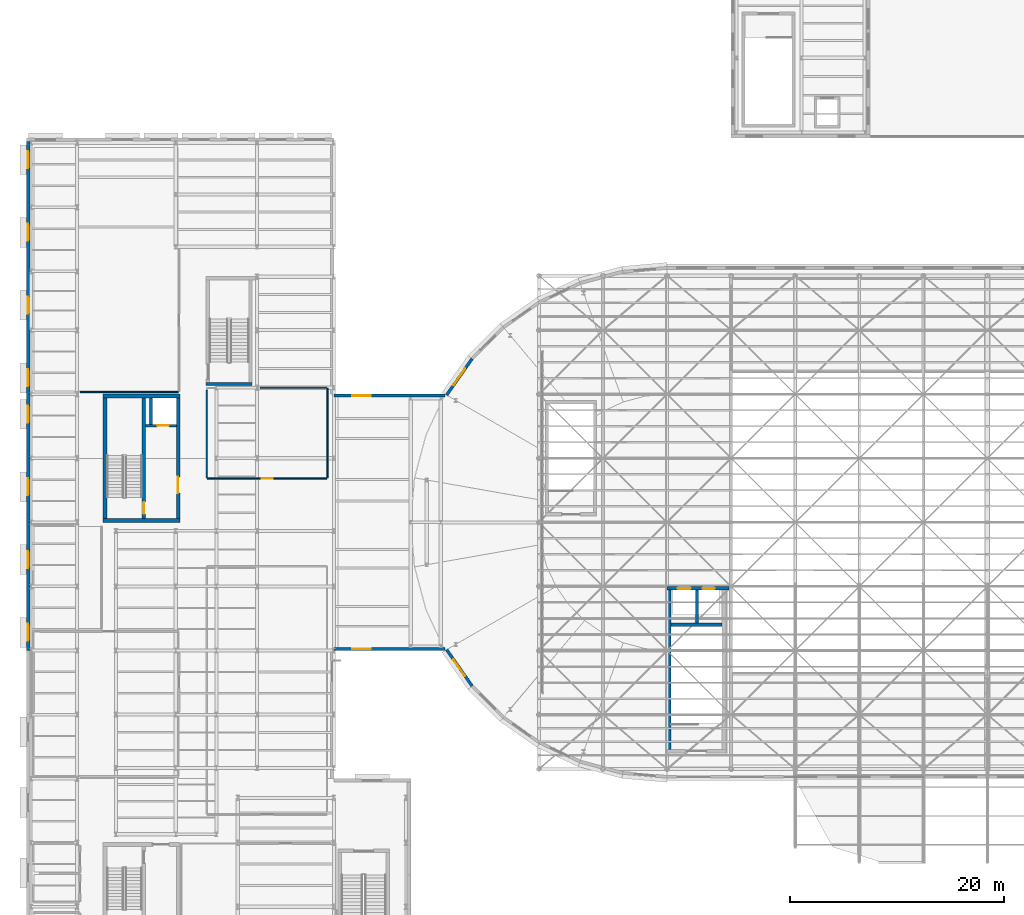
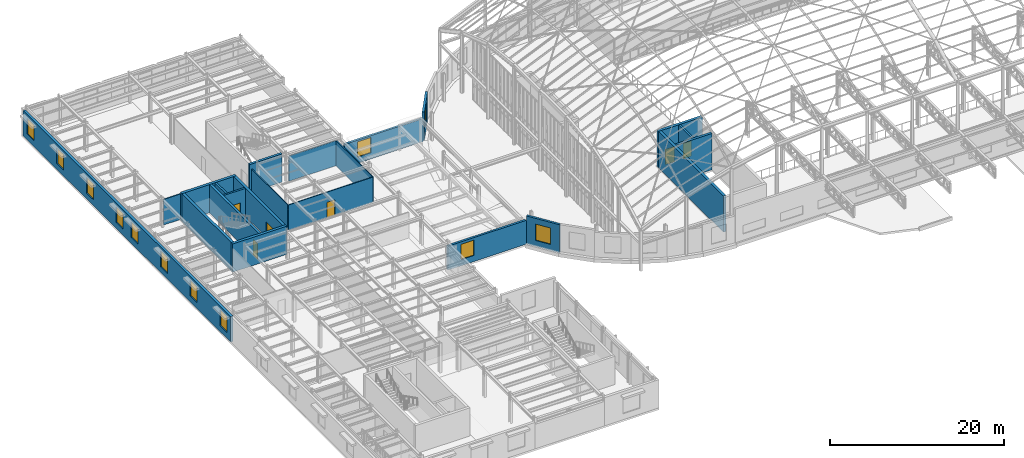
# One storey, part 62 of 75: 22 walls, 12 windows, 6 doors, 18 openings.
"""IFC4 building model written with IfcOpenShell, lengths in metres."""

from ifc_helpers import new_model, si_unit, direction, frame, frame_2d, origin, place, context, subcontext, project, spatial, rectangle, extrude, material, layer, layer_set, type_object, element, fill, save


model = new_model("IFC4")

# Units and contexts
model_context = context("Model", 3, precision=1e-05, world=origin(), true_north=direction((0.0, 1.0)))
body_context = subcontext(model_context, "Body", "Model", "MODEL_VIEW")
ifc_project = project(units=[si_unit("LENGTHUNIT", "METRE"), si_unit("AREAUNIT", "SQUARE_METRE"), si_unit("VOLUMEUNIT", "CUBIC_METRE"), si_unit("PLANEANGLEUNIT", "RADIAN"), si_unit("MASSUNIT", "GRAM", prefix="KILO")], contexts=[model_context])

# Site, building, storey
site_placement = place(None, origin())
site = spatial("IfcSite", under=ifc_project, at=site_placement, CompositionType="ELEMENT")
building_placement = place(site_placement, origin())
building = spatial("IfcBuilding", under=site, at=building_placement, Name="Kolvaren Corner Interchange", CompositionType="ELEMENT")
storey_placement = place(building_placement, frame((0.0, 0.0, 10.5)))
storey = spatial("IfcBuildingStorey", under=building, at=storey_placement, Name="L03", CompositionType="ELEMENT", Elevation=10.5)

# Walls
ifc_material_1 = material(Name="Concrete C35/45", Category="concrete")
ifc_layer_1 = layer(ifc_material_1, 0.35009765625)
ifc_layer_set_1 = layer_set([ifc_layer_1], Name="Concrete C35/45")
wall_type_1 = type_object("IfcWallType", Name="WL-CORE-350", PredefinedType="SHEAR", material=ifc_layer_set_1)
for number, where, z_axis, x_axis, name in (
    (1, (7.199951171875, 48.175048828125, 0.0), (0.0, 0.0, 1.0), (1.0, 0.0, 0.0), "Core C2 L03 South Shear Wall"),
    (2, (7.199951171875, 59.824951171875, 0.0), (0.0, 0.0, 1.0), (1.0, 0.0, 0.0), "Core C2 L03 North Shear Wall"),
):
    element("IfcWall", number, at=place(storey_placement, frame(where, z_axis=z_axis, x_axis=x_axis)), inside=storey, type_object=wall_type_1, Name=name, PredefinedType="SHEAR", context=body_context, shape_type="SweptSolid", body=[
        extrude(rectangle(XDim=7.199951171875, YDim=0.35009765625, at=frame_2d((3.60009765625, 0.0))), origin(), (0.0, 0.0, 1.0), 3.949951171875),
    ])
wall_1_placement = place(storey_placement, frame((7.375, 48.35009765625, 0.0), z_axis=(0.0, 0.0, 1.0), x_axis=(0.0, 1.0, 0.0)))
element("IfcWall", 3, at=wall_1_placement, inside=storey, type_object=wall_type_1, Name="Core C2 L03 West Shear Wall", PredefinedType="SHEAR", context=body_context, shape_type="SweptSolid", body=[
    extrude(rectangle(XDim=11.2998046875, YDim=0.35009765625, at=frame_2d((5.64990234375, 0.0))), origin(), (0.0, 0.0, 1.0), 3.949951171875),
])

# Wall, opening, door
wall_2_placement = place(storey_placement, frame((14.22509765625, 48.35009765625, 0.0), z_axis=(0.0, 0.0, 1.0), x_axis=(0.0, 1.0, 0.0)))
wall_2 = element("IfcWall", 4, at=wall_2_placement, inside=storey, type_object=wall_type_1, Name="Core C2 L03 East Shear Wall", PredefinedType="SHEAR", context=body_context, shape_type="SweptSolid", body=[
    extrude(rectangle(XDim=11.2998046875, YDim=0.35009765625, at=frame_2d((5.64990234375, 0.0))), origin(), (0.0, 0.0, 1.0), 3.949951171875),
])
opening_1_placement = place(wall_2_placement, frame((2.39990234375, 0.0, 0.0)))
opening_1 = element("IfcOpeningElement", 5, at=opening_1_placement, cuts=wall_2, Name="Opening D-F02", PredefinedType="OPENING", context=body_context, shape_type="SweptSolid", body=[
    extrude(rectangle(XDim=1.5, YDim=2.14990234375, at=frame_2d((0.75, 1.074951171875))), frame((0.0, 0.18505859375, 0.0), z_axis=(0.0, -1.0, 0.0), x_axis=(1.0, 0.0, 0.0)), (0.0, 0.0, 1.0), 0.3701171875),
])
ifc_material_2 = material(Name="Powder-coated Fire-rated Steel Sheet", Category="steel")
door_type_1 = type_object("IfcDoorType", Name="DT-FD-1500x2150", OperationType="NOTDEFINED", PredefinedType="DOOR", material=ifc_material_2)
door_1_placement = place(opening_1_placement, origin())
door_1 = element("IfcDoor", 6, at=door_1_placement, inside=storey, type_object=door_type_1, Name="Core C2 L03 Firefighting Lobby Corridor Exit Door", OperationType="DOUBLE_DOOR_SINGLE_SWING", OverallHeight=2.14990234375, OverallWidth=1.5, PredefinedType="DOOR", context=body_context, shape_type="SweptSolid", body=[
    extrude(rectangle(XDim=1.5, YDim=2.14990234375, at=frame_2d((0.75, 1.074951171875))), frame((0.0, 0.02490234375, 0.0), z_axis=(0.0, -1.0, 0.0), x_axis=(1.0, 0.0, 0.0)), (0.0, 0.0, 1.0), 0.050048828125),
])
fill(opening_1, door_1)

# Wall, openings, doors
wall_3_placement = place(storey_placement, frame((60.0, 41.824951171875, 0.0), z_axis=(0.0, 0.0, 1.0), x_axis=(1.0, 0.0, 0.0)))
wall_3 = element("IfcWall", 7, at=wall_3_placement, inside=storey, type_object=wall_type_1, Name="Core C3 L03 North Shear Wall", PredefinedType="SHEAR", context=body_context, shape_type="SweptSolid", body=[
    extrude(rectangle(XDim=5.820068359375, YDim=0.35009765625, at=frame_2d((2.91015625, 0.0))), origin(), (0.0, 0.0, 1.0), 5.10009765625),
])
opening_2_placement = place(wall_3_placement, frame((0.989990234375, 0.0, 0.0)))
opening_2 = element("IfcOpeningElement", 8, at=opening_2_placement, cuts=wall_3, Name="Opening LD-LF-P1-L03", PredefinedType="OPENING", context=body_context, shape_type="SweptSolid", body=[
    extrude(rectangle(XDim=1.219970703125, YDim=2.14990234375, at=frame_2d((0.60986328125, 1.074951171875))), frame((0.0, 0.18505859375, 0.0), z_axis=(0.0, -1.0, 0.0), x_axis=(1.0, 0.0, 0.0)), (0.0, 0.0, 1.0), 0.3701171875),
])
opening_3_placement = place(wall_3_placement, frame((3.340087890625, 0.0, 0.0)))
opening_3 = element("IfcOpeningElement", 9, at=opening_3_placement, cuts=wall_3, Name="Opening LD-LF-P3-L03", PredefinedType="OPENING", context=body_context, shape_type="SweptSolid", body=[
    extrude(rectangle(XDim=1.1201171875, YDim=2.14990234375, at=frame_2d((0.56005859375, 1.074951171875))), frame((0.0, 0.18505859375, 0.0), z_axis=(0.0, -1.0, 0.0), x_axis=(1.0, 0.0, 0.0)), (0.0, 0.0, 1.0), 0.3701171875),
])
ifc_material_3 = material(Name="Brushed Stainless Steel Landing Door", Category="steel")
door_type_2 = type_object("IfcDoorType", Name="DT-LIFT-1120", OperationType="NOTDEFINED", PredefinedType="DOOR", material=ifc_material_3)
door_2_placement = place(opening_3_placement, origin())
door_2 = element("IfcDoor", 10, at=door_2_placement, inside=storey, type_object=door_type_2, Name="Passenger Lift LF P3 L03 Sliding Landing Door", OperationType="SLIDING_TO_LEFT", OverallHeight=2.14990234375, OverallWidth=1.1201171875, PredefinedType="DOOR", context=body_context, shape_type="SweptSolid", body=[
    extrude(rectangle(XDim=1.1201171875, YDim=2.14990234375, at=frame_2d((0.56005859375, 1.074951171875))), frame((0.0, 0.02490234375, 0.0), z_axis=(0.0, -1.0, 0.0), x_axis=(1.0, 0.0, 0.0)), (0.0, 0.0, 1.0), 0.050048828125),
])
fill(opening_3, door_2)
ifc_material_4 = material(Name="Brushed Stainless Steel Landing Door", Category="steel")
door_type_3 = type_object("IfcDoorType", Name="DT-LIFT-1220", OperationType="NOTDEFINED", PredefinedType="DOOR", material=ifc_material_4)
door_3_placement = place(opening_2_placement, origin())
door_3 = element("IfcDoor", 11, at=door_3_placement, inside=storey, type_object=door_type_3, Name="Passenger Lift LF P1 L03 Sliding Landing Door", OperationType="DOUBLE_DOOR_SLIDING", OverallHeight=2.14990234375, OverallWidth=1.219970703125, PredefinedType="DOOR", context=body_context, shape_type="SweptSolid", body=[
    extrude(rectangle(XDim=1.219970703125, YDim=2.14990234375, at=frame_2d((0.60986328125, 1.074951171875))), frame((0.0, 0.02490234375, 0.0), z_axis=(0.0, -1.0, 0.0), x_axis=(1.0, 0.0, 0.0)), (0.0, 0.0, 1.0), 0.050048828125),
])
fill(opening_2, door_3)

# Wall
wall_4_placement = place(storey_placement, frame((60.175048828125, 26.75, 0.0), z_axis=(0.0, 0.0, 1.0), x_axis=(0.0, 1.0, 0.0)))
element("IfcWall", 12, at=wall_4_placement, inside=storey, type_object=wall_type_1, Name="Core C3 L03 West Shear Wall", PredefinedType="SHEAR", context=body_context, shape_type="SweptSolid", body=[
    extrude(rectangle(XDim=14.89990234375, YDim=0.35009765625, at=frame_2d((7.449951171875, 0.0))), origin(), (0.0, 0.0, 1.0), 5.10009765625),
])

# Wall, opening, door
ifc_material_5 = material(Name="Concrete C35/45", Category="concrete")
ifc_layer_2 = layer(ifc_material_5, 0.31005859375)
ifc_layer_set_2 = layer_set([ifc_layer_2], Name="Concrete C35/45")
wall_type_2 = type_object("IfcWallType", Name="WL-STAIR-300", PredefinedType="SHEAR", material=ifc_layer_set_2)
wall_5_placement = place(storey_placement, frame((11.0, 48.35009765625, 0.0), z_axis=(0.0, 0.0, 1.0), x_axis=(0.0, 1.0, 0.0)))
wall_5 = element("IfcWall", 13, at=wall_5_placement, inside=storey, type_object=wall_type_2, Name="Core C2 L03 Firefighting Stairwell Divider Wall", PredefinedType="SHEAR", context=body_context, shape_type="SweptSolid", body=[
    extrude(rectangle(XDim=11.2998046875, YDim=0.31005859375, at=frame_2d((5.64990234375, 0.0))), origin(), (0.0, 0.0, 1.0), 3.949951171875),
])
opening_4_placement = place(wall_5_placement, frame((0.449951171875, 0.0, 0.0)))
opening_4 = element("IfcOpeningElement", 14, at=opening_4_placement, cuts=wall_5, Name="Opening D-F03", PredefinedType="OPENING", context=body_context, shape_type="SweptSolid", body=[
    extrude(rectangle(XDim=1.10009765625, YDim=2.14990234375, at=frame_2d((0.550048828125, 1.074951171875))), frame((0.0, 0.1650390625, 0.0), z_axis=(0.0, -1.0, 0.0), x_axis=(1.0, 0.0, 0.0)), (0.0, 0.0, 1.0), 0.330078125),
])
ifc_material_6 = material(Name="Powder-coated Fire-rated Steel Sheet", Category="steel")
door_type_4 = type_object("IfcDoorType", Name="DT-FD-1100x2150", OperationType="NOTDEFINED", PredefinedType="DOOR", material=ifc_material_6)
door_4_placement = place(opening_4_placement, origin())
door_4 = element("IfcDoor", 15, at=door_4_placement, inside=storey, type_object=door_type_4, Name="Core C2 Northwest Firefighting Stair L03 Protected Exit Door", OperationType="SINGLE_SWING_LEFT", OverallHeight=2.14990234375, OverallWidth=1.10009765625, PredefinedType="DOOR", context=body_context, shape_type="SweptSolid", body=[
    extrude(rectangle(XDim=1.10009765625, YDim=2.14990234375, at=frame_2d((0.550048828125, 1.074951171875))), frame((0.0, 0.02490234375, 0.0), z_axis=(0.0, -1.0, 0.0), x_axis=(1.0, 0.0, 0.0)), (0.0, 0.0, 1.0), 0.050048828125),
])
fill(opening_4, door_4)

# Walls
wall_6_placement = place(storey_placement, frame((60.35009765625, 38.39990234375, 0.0), z_axis=(0.0, 0.0, 1.0), x_axis=(1.0, 0.0, 0.0)))
element("IfcWall", 16, at=wall_6_placement, inside=storey, type_object=wall_type_2, Name="Core C3 L03 Lift and Stairwell Divider Wall", PredefinedType="SHEAR", context=body_context, shape_type="SweptSolid", body=[
    extrude(rectangle(XDim=4.7998046875, YDim=0.31005859375, at=frame_2d((2.39990234375, 0.0))), origin(), (0.0, 0.0, 1.0), 5.10009765625),
])
wall_7_placement = place(storey_placement, frame((16.85009765625, 60.955078125, 0.0), z_axis=(0.0, 0.0, 1.0), x_axis=(1.0, 0.0, 0.0)))
element("IfcWall", 17, at=wall_7_placement, inside=storey, type_object=wall_type_2, Name="Operations North Wing Protected Exit Stair L03 South Enclosure Wall", PredefinedType="SHEAR", context=body_context, shape_type="SweptSolid", body=[
    extrude(rectangle(XDim=4.2998046875, YDim=0.31005859375, at=frame_2d((2.14990234375, 0.0))), origin(), (0.0, 0.0, 1.0), 3.949951171875),
])

# Wall, openings, windows
ifc_material_7 = material(Name="Cream Architectural Terracotta Rainscreen Assembly", Category="masonry")
ifc_layer_3 = layer(ifc_material_7, 0.330078125)
ifc_layer_set_3 = layer_set([ifc_layer_3], Name="Cream Architectural Terracotta Rainscreen Assembly")
wall_type_3 = type_object("IfcWallType", Name="WT-EXT-TC320", PredefinedType="SOLIDWALL", material=ifc_layer_set_3)
wall_8_placement = place(storey_placement, frame((0.169921875, 83.659912109375, 0.0), z_axis=(0.0, 0.0, 1.0), x_axis=(0.0, -1.0, 0.0)))
wall_8 = element("IfcWall", 18, at=wall_8_placement, inside=storey, type_object=wall_type_3, Name="Operations Trelmava Street West Facade Wall 0034", PredefinedType="SOLIDWALL", context=body_context, shape_type="SweptSolid", body=[
    extrude(rectangle(XDim=47.659912109375, YDim=0.330078125, at=frame_2d((23.830078125, 0.0))), origin(), (0.0, 0.0, 1.0), 3.56494140625),
])
opening_5_placement = place(wall_8_placement, frame((0.902099609375, 0.0, 0.820068359375)))
opening_5 = element("IfcOpeningElement", 19, at=opening_5_placement, cuts=wall_8, Name="Opening W-13", PredefinedType="OPENING", context=body_context, shape_type="SweptSolid", body=[
    extrude(rectangle(XDim=1.60009765625, YDim=2.199951171875, at=frame_2d((0.800048828125, 1.10009765625))), frame((0.0, 0.175048828125, 0.0), z_axis=(0.0, -1.0, 0.0), x_axis=(1.0, 0.0, 0.0)), (0.0, 0.0, 1.0), 0.35009765625),
])
opening_6_placement = place(wall_8_placement, frame((7.710693359375, 0.0, 0.820068359375)))
opening_6 = element("IfcOpeningElement", 20, at=opening_6_placement, cuts=wall_8, Name="Opening W-13", PredefinedType="OPENING", context=body_context, shape_type="SweptSolid", body=[
    extrude(rectangle(XDim=1.60009765625, YDim=2.199951171875, at=frame_2d((0.800048828125, 1.10009765625))), frame((0.0, 0.175048828125, 0.0), z_axis=(0.0, -1.0, 0.0), x_axis=(1.0, 0.0, 0.0)), (0.0, 0.0, 1.0), 0.35009765625),
])
opening_7_placement = place(wall_8_placement, frame((14.519287109375, 0.0, 0.820068359375)))
opening_7 = element("IfcOpeningElement", 21, at=opening_7_placement, cuts=wall_8, Name="Opening W-13", PredefinedType="OPENING", context=body_context, shape_type="SweptSolid", body=[
    extrude(rectangle(XDim=1.60009765625, YDim=2.199951171875, at=frame_2d((0.800048828125, 1.10009765625))), frame((0.0, 0.175048828125, 0.0), z_axis=(0.0, -1.0, 0.0), x_axis=(1.0, 0.0, 0.0)), (0.0, 0.0, 1.0), 0.35009765625),
])
opening_8_placement = place(wall_8_placement, frame((21.327880859375, 0.0, 0.820068359375)))
opening_8 = element("IfcOpeningElement", 22, at=opening_8_placement, cuts=wall_8, Name="Opening W-13", PredefinedType="OPENING", context=body_context, shape_type="SweptSolid", body=[
    extrude(rectangle(XDim=1.60009765625, YDim=2.199951171875, at=frame_2d((0.800048828125, 1.10009765625))), frame((0.0, 0.175048828125, 0.0), z_axis=(0.0, -1.0, 0.0), x_axis=(1.0, 0.0, 0.0)), (0.0, 0.0, 1.0), 0.35009765625),
])
opening_9_placement = place(wall_8_placement, frame((24.732177734375, 0.0, 0.820068359375)))
opening_9 = element("IfcOpeningElement", 23, at=opening_9_placement, cuts=wall_8, Name="Opening W-13", PredefinedType="OPENING", context=body_context, shape_type="SweptSolid", body=[
    extrude(rectangle(XDim=1.60009765625, YDim=2.199951171875, at=frame_2d((0.800048828125, 1.10009765625))), frame((0.0, 0.175048828125, 0.0), z_axis=(0.0, -1.0, 0.0), x_axis=(1.0, 0.0, 0.0)), (0.0, 0.0, 1.0), 0.35009765625),
])
opening_10_placement = place(wall_8_placement, frame((31.540771484375, 0.0, 0.820068359375)))
opening_10 = element("IfcOpeningElement", 24, at=opening_10_placement, cuts=wall_8, Name="Opening W-13", PredefinedType="OPENING", context=body_context, shape_type="SweptSolid", body=[
    extrude(rectangle(XDim=1.60009765625, YDim=2.199951171875, at=frame_2d((0.800048828125, 1.10009765625))), frame((0.0, 0.175048828125, 0.0), z_axis=(0.0, -1.0, 0.0), x_axis=(1.0, 0.0, 0.0)), (0.0, 0.0, 1.0), 0.35009765625),
])
opening_11_placement = place(wall_8_placement, frame((38.349365234375, 0.0, 0.820068359375)))
opening_11 = element("IfcOpeningElement", 25, at=opening_11_placement, cuts=wall_8, Name="Opening W-13", PredefinedType="OPENING", context=body_context, shape_type="SweptSolid", body=[
    extrude(rectangle(XDim=1.60009765625, YDim=2.199951171875, at=frame_2d((0.800048828125, 1.10009765625))), frame((0.0, 0.175048828125, 0.0), z_axis=(0.0, -1.0, 0.0), x_axis=(1.0, 0.0, 0.0)), (0.0, 0.0, 1.0), 0.35009765625),
])
opening_12_placement = place(wall_8_placement, frame((45.157958984375, 0.0, 0.820068359375)))
opening_12 = element("IfcOpeningElement", 26, at=opening_12_placement, cuts=wall_8, Name="Opening W-13", PredefinedType="OPENING", context=body_context, shape_type="SweptSolid", body=[
    extrude(rectangle(XDim=1.60009765625, YDim=2.199951171875, at=frame_2d((0.800048828125, 1.10009765625))), frame((0.0, 0.175048828125, 0.0), z_axis=(0.0, -1.0, 0.0), x_axis=(1.0, 0.0, 0.0)), (0.0, 0.0, 1.0), 0.35009765625),
])
ifc_material_8 = material(Name="Thermally Broken Aluminium and Solar-Control Double Glazing", Category="aluminium")
window_type_1 = type_object("IfcWindowType", Name="WT-CHI-1600x2200", PartitioningType="DOUBLE_PANEL_VERTICAL", PredefinedType="WINDOW", material=ifc_material_8)
window_1_placement = place(opening_5_placement, origin())
window_1 = element("IfcWindow", 27, at=window_1_placement, inside=storey, type_object=window_type_1, Name="L03 Operations Trelmava Street West Facade Window 0073", OverallHeight=2.199951171875, OverallWidth=1.60009765625, PartitioningType="SINGLE_PANEL", PredefinedType="WINDOW", context=body_context, shape_type="SweptSolid", body=[
    extrude(rectangle(XDim=1.60009765625, YDim=2.199951171875, at=frame_2d((0.800048828125, 1.10009765625))), frame((0.0, 0.030029296875, 0.0), z_axis=(0.0, -1.0, 0.0), x_axis=(1.0, 0.0, 0.0)), (0.0, 0.0, 1.0), 0.06005859375),
])
fill(opening_5, window_1)
window_2_placement = place(opening_6_placement, origin())
window_2 = element("IfcWindow", 28, at=window_2_placement, inside=storey, type_object=window_type_1, Name="L03 Operations Trelmava Street West Facade Window 0074", OverallHeight=2.199951171875, OverallWidth=1.60009765625, PartitioningType="SINGLE_PANEL", PredefinedType="WINDOW", context=body_context, shape_type="SweptSolid", body=[
    extrude(rectangle(XDim=1.60009765625, YDim=2.199951171875, at=frame_2d((0.800048828125, 1.10009765625))), frame((0.0, 0.030029296875, 0.0), z_axis=(0.0, -1.0, 0.0), x_axis=(1.0, 0.0, 0.0)), (0.0, 0.0, 1.0), 0.06005859375),
])
fill(opening_6, window_2)
window_3_placement = place(opening_7_placement, origin())
window_3 = element("IfcWindow", 29, at=window_3_placement, inside=storey, type_object=window_type_1, Name="L03 Operations Trelmava Street West Facade Window 0075", OverallHeight=2.199951171875, OverallWidth=1.60009765625, PartitioningType="SINGLE_PANEL", PredefinedType="WINDOW", context=body_context, shape_type="SweptSolid", body=[
    extrude(rectangle(XDim=1.60009765625, YDim=2.199951171875, at=frame_2d((0.800048828125, 1.10009765625))), frame((0.0, 0.030029296875, 0.0), z_axis=(0.0, -1.0, 0.0), x_axis=(1.0, 0.0, 0.0)), (0.0, 0.0, 1.0), 0.06005859375),
])
fill(opening_7, window_3)
window_4_placement = place(opening_8_placement, origin())
window_4 = element("IfcWindow", 30, at=window_4_placement, inside=storey, type_object=window_type_1, Name="L03 Operations Trelmava Street West Facade Window 0076", OverallHeight=2.199951171875, OverallWidth=1.60009765625, PartitioningType="SINGLE_PANEL", PredefinedType="WINDOW", context=body_context, shape_type="SweptSolid", body=[
    extrude(rectangle(XDim=1.60009765625, YDim=2.199951171875, at=frame_2d((0.800048828125, 1.10009765625))), frame((0.0, 0.030029296875, 0.0), z_axis=(0.0, -1.0, 0.0), x_axis=(1.0, 0.0, 0.0)), (0.0, 0.0, 1.0), 0.06005859375),
])
fill(opening_8, window_4)
window_5_placement = place(opening_9_placement, origin())
window_5 = element("IfcWindow", 31, at=window_5_placement, inside=storey, type_object=window_type_1, Name="L03 Operations Trelmava Street West Facade Window 0077", OverallHeight=2.199951171875, OverallWidth=1.60009765625, PartitioningType="SINGLE_PANEL", PredefinedType="WINDOW", context=body_context, shape_type="SweptSolid", body=[
    extrude(rectangle(XDim=1.60009765625, YDim=2.199951171875, at=frame_2d((0.800048828125, 1.10009765625))), frame((0.0, 0.030029296875, 0.0), z_axis=(0.0, -1.0, 0.0), x_axis=(1.0, 0.0, 0.0)), (0.0, 0.0, 1.0), 0.06005859375),
])
fill(opening_9, window_5)
window_6_placement = place(opening_10_placement, origin())
window_6 = element("IfcWindow", 32, at=window_6_placement, inside=storey, type_object=window_type_1, Name="L03 Operations Trelmava Street West Facade Window 0078", OverallHeight=2.199951171875, OverallWidth=1.60009765625, PartitioningType="SINGLE_PANEL", PredefinedType="WINDOW", context=body_context, shape_type="SweptSolid", body=[
    extrude(rectangle(XDim=1.60009765625, YDim=2.199951171875, at=frame_2d((0.800048828125, 1.10009765625))), frame((0.0, 0.030029296875, 0.0), z_axis=(0.0, -1.0, 0.0), x_axis=(1.0, 0.0, 0.0)), (0.0, 0.0, 1.0), 0.06005859375),
])
fill(opening_10, window_6)
window_7_placement = place(opening_11_placement, origin())
window_7 = element("IfcWindow", 33, at=window_7_placement, inside=storey, type_object=window_type_1, Name="L03 Operations Trelmava Street West Facade Window 0079", OverallHeight=2.199951171875, OverallWidth=1.60009765625, PartitioningType="SINGLE_PANEL", PredefinedType="WINDOW", context=body_context, shape_type="SweptSolid", body=[
    extrude(rectangle(XDim=1.60009765625, YDim=2.199951171875, at=frame_2d((0.800048828125, 1.10009765625))), frame((0.0, 0.030029296875, 0.0), z_axis=(0.0, -1.0, 0.0), x_axis=(1.0, 0.0, 0.0)), (0.0, 0.0, 1.0), 0.06005859375),
])
fill(opening_11, window_7)
window_8_placement = place(opening_12_placement, origin())
window_8 = element("IfcWindow", 34, at=window_8_placement, inside=storey, type_object=window_type_1, Name="L03 Operations Trelmava Street West Facade Window 0080", OverallHeight=2.199951171875, OverallWidth=1.60009765625, PartitioningType="SINGLE_PANEL", PredefinedType="WINDOW", context=body_context, shape_type="SweptSolid", body=[
    extrude(rectangle(XDim=1.60009765625, YDim=2.199951171875, at=frame_2d((0.800048828125, 1.10009765625))), frame((0.0, 0.030029296875, 0.0), z_axis=(0.0, -1.0, 0.0), x_axis=(1.0, 0.0, 0.0)), (0.0, 0.0, 1.0), 0.06005859375),
])
fill(opening_12, window_8)

# Wall, opening, window
ifc_material_9 = material(Name="White Glazed Ceramic Terracotta Band Assembly", Category="masonry")
ifc_layer_4 = layer(ifc_material_9, 0.280029296875)
ifc_layer_set_4 = layer_set([ifc_layer_4], Name="White Glazed Ceramic Terracotta Band Assembly")
wall_type_4 = type_object("IfcWallType", Name="WT-EXT-WHT280", PredefinedType="SOLIDWALL", material=ifc_layer_set_4)
wall_9_placement = place(storey_placement, frame((28.800048828125, 36.139892578125, 0.0), z_axis=(0.0, 0.0, 1.0), x_axis=(1.0, 0.0, 0.0)))
wall_9 = element("IfcWall", 35, at=wall_9_placement, inside=storey, type_object=wall_type_4, Name="West Concourse Link South Wall 0063", PredefinedType="SOLIDWALL", context=body_context, shape_type="SweptSolid", body=[
    extrude(rectangle(XDim=10.39990234375, YDim=0.280029296875, at=frame_2d((5.199951171875, 0.0))), origin(), (0.0, 0.0, 1.0), 3.35498046875),
])
opening_13_placement = place(wall_9_placement, frame((1.72509765625, 0.0, 0.85009765625)))
opening_13 = element("IfcOpeningElement", 36, at=opening_13_placement, cuts=wall_9, Name="Opening W-21", PredefinedType="OPENING", context=body_context, shape_type="SweptSolid", body=[
    extrude(rectangle(XDim=1.75, YDim=2.14990234375, at=frame_2d((0.875, 1.074951171875))), frame((0.0, 0.14990234375, 0.0), z_axis=(0.0, -1.0, 0.0), x_axis=(1.0, 0.0, 0.0)), (0.0, 0.0, 1.0), 0.300048828125),
])
ifc_material_10 = material(Name="Thermally Broken Aluminium and Solar-Control Double Glazing", Category="aluminium")
window_type_2 = type_object("IfcWindowType", Name="WT-ARC-1750x2150", PartitioningType="DOUBLE_PANEL_VERTICAL", PredefinedType="WINDOW", material=ifc_material_10)
window_9_placement = place(opening_13_placement, origin())
window_9 = element("IfcWindow", 37, at=window_9_placement, inside=storey, type_object=window_type_2, Name="L03 West Concourse Link South Window 0147", OverallHeight=2.14990234375, OverallWidth=1.75, PartitioningType="SINGLE_PANEL", PredefinedType="WINDOW", context=body_context, shape_type="SweptSolid", body=[
    extrude(rectangle(XDim=1.75, YDim=2.14990234375, at=frame_2d((0.875, 1.074951171875))), frame((0.0, 0.030029296875, 0.0), z_axis=(0.0, -1.0, 0.0), x_axis=(1.0, 0.0, 0.0)), (0.0, 0.0, 1.0), 0.06005859375),
])
fill(opening_13, window_9)

wall_10_placement = place(storey_placement, frame((39.199951171875, 59.860107421875, 0.0), z_axis=(0.0, 0.0, 1.0), x_axis=(-1.0, 0.0, 0.0)))
wall_10 = element("IfcWall", 38, at=wall_10_placement, inside=storey, type_object=wall_type_4, Name="West Concourse Link North Wall 0064", PredefinedType="SOLIDWALL", context=body_context, shape_type="SweptSolid", body=[
    extrude(rectangle(XDim=10.39990234375, YDim=0.280029296875, at=frame_2d((5.199951171875, 0.0))), origin(), (0.0, 0.0, 1.0), 3.235107421875),
])
opening_14_placement = place(wall_10_placement, frame((6.925048828125, 0.0, 0.844970703125)))
opening_14 = element("IfcOpeningElement", 39, at=opening_14_placement, cuts=wall_10, Name="Opening W-21", PredefinedType="OPENING", context=body_context, shape_type="SweptSolid", body=[
    extrude(rectangle(XDim=1.75, YDim=2.14990234375, at=frame_2d((0.875, 1.074951171875))), frame((0.0, 0.14990234375, 0.0), z_axis=(0.0, -1.0, 0.0), x_axis=(1.0, 0.0, 0.0)), (0.0, 0.0, 1.0), 0.300048828125),
])
window_10_placement = place(opening_14_placement, origin())
window_10 = element("IfcWindow", 40, at=window_10_placement, inside=storey, type_object=window_type_2, Name="L03 West Concourse Link North Window 0148", OverallHeight=2.14990234375, OverallWidth=1.75, PartitioningType="SINGLE_PANEL", PredefinedType="WINDOW", context=body_context, shape_type="SweptSolid", body=[
    extrude(rectangle(XDim=1.75, YDim=2.14990234375, at=frame_2d((0.875, 1.074951171875))), frame((0.0, 0.030029296875, 0.0), z_axis=(0.0, -1.0, 0.0), x_axis=(1.0, 0.0, 0.0)), (0.0, 0.0, 1.0), 0.06005859375),
])
fill(opening_14, window_10)

wall_11_placement = place(storey_placement, frame((41.737548828125, 63.32421875, 0.0), z_axis=(0.0, 0.0, 1.0), x_axis=(-0.573549082007, -0.819171197327, 0.0)))
wall_11 = element("IfcWall", 41, at=wall_11_placement, inside=storey, type_object=wall_type_4, Name="Racetrack West Curved Drum Chord 06 Wall 0094", PredefinedType="SOLIDWALL", context=body_context, shape_type="SweptSolid", body=[
    extrude(rectangle(XDim=4.15576171875, YDim=0.280029296875, at=frame_2d((2.077880859375, 0.0))), origin(), (0.0, 0.0, 1.0), 3.949951171875),
])
opening_15_placement = place(wall_11_placement, frame((1.127685546875, 0.0, 0.85009765625)))
opening_15 = element("IfcOpeningElement", 42, at=opening_15_placement, cuts=wall_11, Name="Opening W-05", PredefinedType="OPENING", context=body_context, shape_type="SweptSolid", body=[
    extrude(rectangle(XDim=1.89990234375, YDim=2.300048828125, at=frame_2d((0.949951171875, 1.14990234375))), frame((0.0, 0.14990234375, 0.0), z_axis=(0.0, -1.0, 0.0), x_axis=(1.0, 0.0, 0.0)), (0.0, 0.0, 1.0), 0.300048828125),
])
ifc_material_11 = material(Name="Thermally Broken Aluminium and Solar-Control Double Glazing", Category="aluminium")
window_type_3 = type_object("IfcWindowType", Name="WT-ARC-1900x2300", PartitioningType="DOUBLE_PANEL_VERTICAL", PredefinedType="WINDOW", material=ifc_material_11)
window_11_placement = place(opening_15_placement, origin())
window_11 = element("IfcWindow", 43, at=window_11_placement, inside=storey, type_object=window_type_3, Name="L03 Racetrack West Curved Drum Chord 06 Window 0169", OverallHeight=2.300048828125, OverallWidth=1.89990234375, PartitioningType="SINGLE_PANEL", PredefinedType="WINDOW", context=body_context, shape_type="SweptSolid", body=[
    extrude(rectangle(XDim=1.89990234375, YDim=2.300048828125, at=frame_2d((0.949951171875, 1.14990234375))), frame((0.0, 0.030029296875, 0.0), z_axis=(0.0, -1.0, 0.0), x_axis=(1.0, 0.0, 0.0)), (0.0, 0.0, 1.0), 0.06005859375),
])
fill(opening_15, window_11)

wall_12_placement = place(storey_placement, frame((39.35400390625, 36.080078125, 0.0), z_axis=(0.0, 0.0, 1.0), x_axis=(0.573549082007, -0.819171197327, 0.0)))
wall_12 = element("IfcWall", 44, at=wall_12_placement, inside=storey, type_object=wall_type_4, Name="Racetrack West Curved Drum Chord 13 Wall 0095", PredefinedType="SOLIDWALL", context=body_context, shape_type="SweptSolid", body=[
    extrude(rectangle(XDim=4.15576171875, YDim=0.280029296875, at=frame_2d((2.077880859375, 0.0))), origin(), (0.0, 0.0, 1.0), 3.949951171875),
])
opening_16_placement = place(wall_12_placement, frame((1.127685546875, 0.0, 0.85009765625)))
opening_16 = element("IfcOpeningElement", 45, at=opening_16_placement, cuts=wall_12, Name="Opening W-05", PredefinedType="OPENING", context=body_context, shape_type="SweptSolid", body=[
    extrude(rectangle(XDim=1.89990234375, YDim=2.300048828125, at=frame_2d((0.949951171875, 1.14990234375))), frame((0.0, 0.14990234375, 0.0), z_axis=(0.0, -1.0, 0.0), x_axis=(1.0, 0.0, 0.0)), (0.0, 0.0, 1.0), 0.300048828125),
])
window_12_placement = place(opening_16_placement, origin())
window_12 = element("IfcWindow", 46, at=window_12_placement, inside=storey, type_object=window_type_3, Name="L03 Racetrack West Curved Drum Chord 13 Window 0170", OverallHeight=2.300048828125, OverallWidth=1.89990234375, PartitioningType="SINGLE_PANEL", PredefinedType="WINDOW", context=body_context, shape_type="SweptSolid", body=[
    extrude(rectangle(XDim=1.89990234375, YDim=2.300048828125, at=frame_2d((0.949951171875, 1.14990234375))), frame((0.0, 0.030029296875, 0.0), z_axis=(0.0, -1.0, 0.0), x_axis=(1.0, 0.0, 0.0)), (0.0, 0.0, 1.0), 0.06005859375),
])
fill(opening_16, window_12)

# Wall
ifc_material_12 = material(Name="Standard Metal-Stud Drywall Partition")
ifc_layer_5 = layer(ifc_material_12, 0.1201171875)
ifc_layer_set_5 = layer_set([ifc_layer_5], Name="Standard Metal-Stud Drywall Partition")
wall_type_5 = type_object("IfcWallType", Name="WT-PART-ST125", PredefinedType="PARTITIONING", material=ifc_layer_set_5)
wall_13_placement = place(storey_placement, frame((5.034912109375, 60.199951171875, 0.0), z_axis=(0.0, 0.0, 1.0), x_axis=(1.0, 0.0, 0.0)))
element("IfcWall", 47, at=wall_13_placement, inside=storey, type_object=wall_type_5, Name="L03 Staff Records and Archive Suite Partition Wall 136", PredefinedType="PARTITIONING", context=body_context, shape_type="SweptSolid", body=[
    extrude(rectangle(XDim=9.215087890625, YDim=0.1201171875, at=frame_2d((4.607421875, 0.0))), origin(), (0.0, 0.0, 1.0), 3.580078125),
])

# Wall, opening, door
wall_14_placement = place(storey_placement, frame((16.949951171875, 52.10009765625, 0.0), z_axis=(0.0, 0.0, 1.0), x_axis=(1.0, 0.0, 0.0)))
wall_14 = element("IfcWall", 48, at=wall_14_placement, inside=storey, type_object=wall_type_5, Name="L03 Fare Systems Engineering Office Partition Wall 138", PredefinedType="PARTITIONING", context=body_context, shape_type="SweptSolid", body=[
    extrude(rectangle(XDim=11.199951171875, YDim=0.1201171875, at=frame_2d((5.60009765625, 0.0))), origin(), (0.0, 0.0, 1.0), 3.56494140625),
])
opening_17_placement = place(wall_14_placement, frame((5.074951171875, 0.0, 0.0)))
opening_17 = element("IfcOpeningElement", 49, at=opening_17_placement, cuts=wall_14, Name="Opening D-I02", PredefinedType="OPENING", context=body_context, shape_type="SweptSolid", body=[
    extrude(rectangle(XDim=1.050048828125, YDim=2.14990234375, at=frame_2d((0.52490234375, 1.074951171875))), frame((0.0, 0.070068359375, 0.0), z_axis=(0.0, -1.0, 0.0), x_axis=(1.0, 0.0, 0.0)), (0.0, 0.0, 1.0), 0.14013671875),
])
ifc_material_13 = material(Name="Solid-Core Iroko Timber Door", Category="wood")
door_type_5 = type_object("IfcDoorType", Name="DT-INT-1050x2150", OperationType="NOTDEFINED", PredefinedType="DOOR", material=ifc_material_13)
door_5_placement = place(opening_17_placement, origin())
door_5 = element("IfcDoor", 50, at=door_5_placement, inside=storey, type_object=door_type_5, Name="L03 Fare Systems Engineering Office Door", OperationType="SINGLE_SWING_RIGHT", OverallHeight=2.14990234375, OverallWidth=1.050048828125, PredefinedType="DOOR", context=body_context, shape_type="SweptSolid", body=[
    extrude(rectangle(XDim=1.050048828125, YDim=2.14990234375, at=frame_2d((0.52490234375, 1.074951171875))), frame((0.0, 0.02490234375, 0.0), z_axis=(0.0, -1.0, 0.0), x_axis=(1.0, 0.0, 0.0)), (0.0, 0.0, 1.0), 0.050048828125),
])
fill(opening_17, door_5)

# Walls
wall_15_placement = place(storey_placement, frame((28.199951171875, 52.162109375, 0.0), z_axis=(0.0, 0.0, 1.0), x_axis=(0.0, 1.0, 0.0)))
element("IfcWall", 51, at=wall_15_placement, inside=storey, type_object=wall_type_5, Name="L03 Fare Systems Engineering Office Partition Wall 139", PredefinedType="PARTITIONING", context=body_context, shape_type="SweptSolid", body=[
    extrude(rectangle(XDim=8.387939453125, YDim=0.1201171875, at=frame_2d((4.19384765625, 0.0))), origin(), (0.0, 0.0, 1.0), 3.52490234375),
])
wall_16_placement = place(storey_placement, frame((28.137939453125, 60.60009765625, 0.0), z_axis=(0.0, 0.0, 1.0), x_axis=(-1.0, 0.0, 0.0)))
element("IfcWall", 52, at=wall_16_placement, inside=storey, type_object=wall_type_5, Name="L03 Fare Systems Engineering Office Partition Wall 140", PredefinedType="PARTITIONING", context=body_context, shape_type="SweptSolid", body=[
    extrude(rectangle(XDim=6.2529296875, YDim=0.1201171875, at=frame_2d((3.12646484375, 0.0))), origin(), (0.0, 0.0, 1.0), 3.52490234375),
])
wall_17_placement = place(storey_placement, frame((16.89990234375, 60.360107421875, 0.0), z_axis=(0.0, 0.0, 1.0), x_axis=(0.0, -1.0, 0.0)))
element("IfcWall", 53, at=wall_17_placement, inside=storey, type_object=wall_type_5, Name="L03 Fare Systems Engineering Office Partition Wall 141", PredefinedType="PARTITIONING", context=body_context, shape_type="SweptSolid", body=[
    extrude(rectangle(XDim=8.197998046875, YDim=0.1201171875, at=frame_2d((4.09912109375, 0.0))), origin(), (0.0, 0.0, 1.0), 3.580078125),
])

# Wall, opening, door
ifc_material_14 = material(Name="Concrete C35/45", Category="concrete")
ifc_layer_6 = layer(ifc_material_14, 0.25)
ifc_layer_set_6 = layer_set([ifc_layer_6], Name="Concrete C35/45")
wall_type_6 = type_object("IfcWallType", Name="WT-SHAFT-RC250", PredefinedType="SHEAR", material=ifc_layer_set_6)
wall_18_placement = place(storey_placement, frame((11.155029296875, 57.050048828125, 0.0), z_axis=(0.0, 0.0, 1.0), x_axis=(1.0, 0.0, 0.0)))
wall_18 = element("IfcWall", 54, at=wall_18_placement, inside=storey, type_object=wall_type_6, Name="Core C2 L03 Firefighting Lift Front Shaft Wall", PredefinedType="SHEAR", context=body_context, shape_type="SweptSolid", body=[
    extrude(rectangle(XDim=2.89501953125, YDim=0.25, at=frame_2d((1.447509765625, 0.0))), origin(), (0.0, 0.0, 1.0), 3.949951171875),
])
opening_18_placement = place(wall_18_placement, frame((1.0849609375, 0.0, 0.0)))
opening_18 = element("IfcOpeningElement", 55, at=opening_18_placement, cuts=wall_18, Name="Opening LD-LF-FF2-L03", PredefinedType="OPENING", context=body_context, shape_type="SweptSolid", body=[
    extrude(rectangle(XDim=1.1201171875, YDim=2.14990234375, at=frame_2d((0.56005859375, 1.074951171875))), frame((0.0, 0.135009765625, 0.0), z_axis=(0.0, -1.0, 0.0), x_axis=(1.0, 0.0, 0.0)), (0.0, 0.0, 1.0), 0.27001953125),
])
door_6_placement = place(opening_18_placement, origin())
door_6 = element("IfcDoor", 56, at=door_6_placement, inside=storey, type_object=door_type_2, Name="Firefighting Lift LF-FF2 L03 Sliding Landing Door", OperationType="SLIDING_TO_LEFT", OverallHeight=2.14990234375, OverallWidth=1.1201171875, PredefinedType="DOOR", context=body_context, shape_type="SweptSolid", body=[
    extrude(rectangle(XDim=1.1201171875, YDim=2.14990234375, at=frame_2d((0.56005859375, 1.074951171875))), frame((0.0, 0.02490234375, 0.0), z_axis=(0.0, -1.0, 0.0), x_axis=(1.0, 0.0, 0.0)), (0.0, 0.0, 1.0), 0.050048828125),
])
fill(opening_18, door_6)

# Walls
wall_19_placement = place(storey_placement, frame((11.675048828125, 57.175048828125, 0.0), z_axis=(0.0, 0.0, 1.0), x_axis=(0.0, 1.0, 0.0)))
element("IfcWall", 57, at=wall_19_placement, inside=storey, type_object=wall_type_6, Name="Core C2 L03 Firefighting Lift Side Shaft Wall", PredefinedType="SHEAR", context=body_context, shape_type="SweptSolid", body=[
    extrude(rectangle(XDim=2.474853515625, YDim=0.25, at=frame_2d((1.2373046875, 0.0))), origin(), (0.0, 0.0, 1.0), 3.949951171875),
])
wall_20_placement = place(storey_placement, frame((62.800048828125, 38.554931640625, 0.0), z_axis=(0.0, 0.0, 1.0), x_axis=(0.0, 1.0, 0.0)))
element("IfcWall", 58, at=wall_20_placement, inside=storey, type_object=wall_type_6, Name="Core L03 C3 Passenger Lift Divider Wall", PredefinedType="SHEAR", context=body_context, shape_type="SweptSolid", body=[
    extrude(rectangle(XDim=3.094970703125, YDim=0.25, at=frame_2d((1.54736328125, 0.0))), origin(), (0.0, 0.0, 1.0), 5.10009765625),
])

save(model, "model.ifc")
